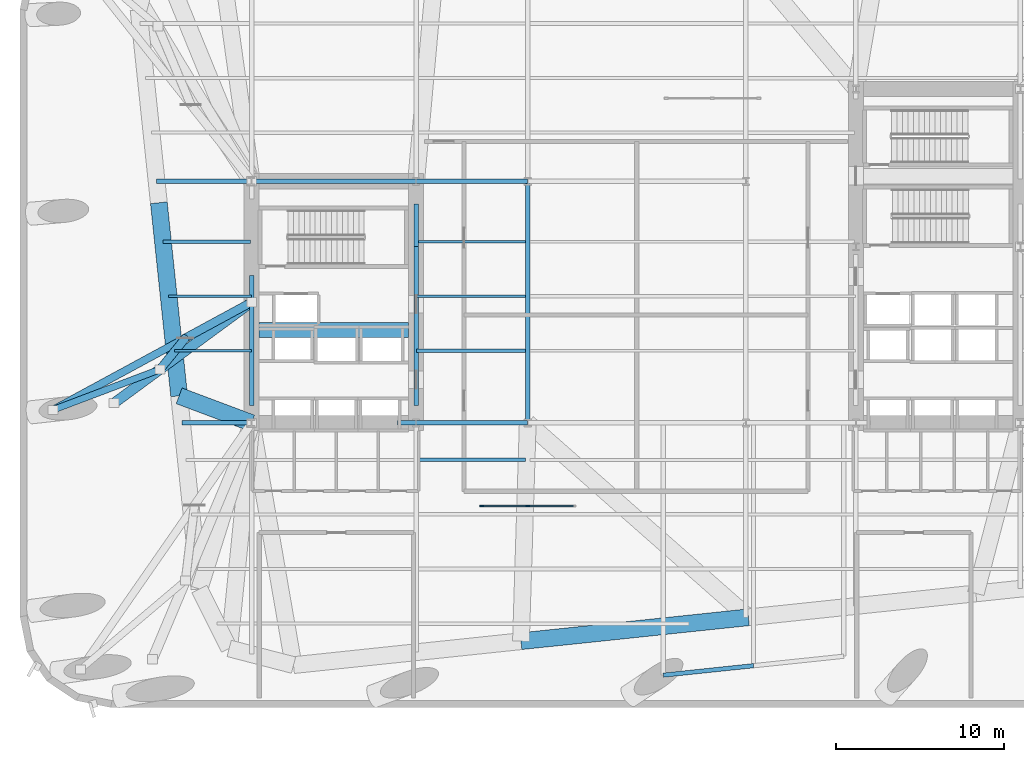
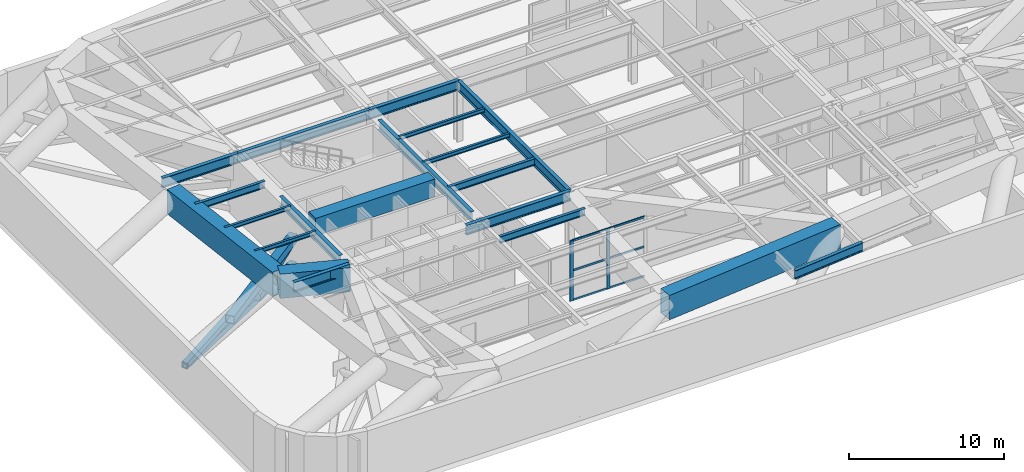
# One storey, part 2 of 16: 21 beams, 13 members, 1 element without a shape of its own.
"""IFC4 building model written with IfcOpenShell, lengths in metres."""

from ifc_helpers import new_model, si_unit, direction, frame, origin, origin_2d, place, context, subcontext, project, spatial, rectangle, hollow_rectangle, hollow_circle, i_section, extrude, material, material_profile, profile_set, type_object, element, aggregate, save


model = new_model("IFC4")

# Units and contexts
model_context = context("Model", 3, precision=1e-05, world=origin(), true_north=direction((0.0, 1.0)))
body_context = subcontext(model_context, "Body", "Model", "MODEL_VIEW")
ifc_project = project(units=[si_unit("LENGTHUNIT", "METRE"), si_unit("AREAUNIT", "SQUARE_METRE"), si_unit("VOLUMEUNIT", "CUBIC_METRE"), si_unit("PLANEANGLEUNIT", "RADIAN"), si_unit("MASSUNIT", "GRAM", prefix="KILO")], contexts=[model_context])

# Site, building, storey
site_placement = place(None, origin())
site = spatial("IfcSite", under=ifc_project, at=site_placement, CompositionType="ELEMENT")
building_placement = place(site_placement, origin())
building = spatial("IfcBuilding", under=site, at=building_placement, Name="Kolvaren Arena Tower", CompositionType="ELEMENT")
storey_placement = place(building_placement, frame((0.0, 0.0, 94.5)))
storey = spatial("IfcBuildingStorey", under=building, at=storey_placement, Name="L21", CompositionType="ELEMENT", Elevation=94.5)

# Beams
ifc_material_1 = material(Name="Steel CSA G40.21 350W", Category="steel")
ifc_material_profile_1 = material_profile(ifc_material_1, i_section(OverallWidth=0.2119140625, OverallDepth=0.54296875, WebThickness=0.01318359375, FlangeThickness=0.0244140625, FilletRadius=0.013916015625, at=origin_2d()), Name="W530x150")
ifc_profile_set_1 = profile_set([ifc_material_profile_1], Name="Steel CSA G40.21 350W")
beam_type_1 = type_object("IfcBeamType", Name="BEAM-F1", PredefinedType="BEAM", material=ifc_profile_set_1)
beam_1_placement = place(storey_placement, frame((24.485107421875, 17.25, 4.478515625), z_axis=(1.0, 0.0, 0.0), x_axis=(0.0, 1.0, 0.0)))
element("IfcBeam", 1, at=beam_1_placement, inside=storey, type_object=beam_type_1, Name="Composite Floor Beam (L21)", PredefinedType="BEAM", context=body_context, shape_type="SweptSolid", body=[
    extrude(i_section(OverallWidth=0.2119140625, OverallDepth=0.54296875, WebThickness=0.01318359375, FlangeThickness=0.0244140625, FilletRadius=0.013916015625, at=origin_2d()), origin(), (0.0, 0.0, 1.0), 6.3798828125),
])
beam_2_placement = place(storey_placement, frame((24.3701171875, 23.75, 4.478515625), z_axis=(1.0, 0.0, 0.0), x_axis=(0.0, 1.0, 0.0)))
element("IfcBeam", 2, at=beam_2_placement, inside=storey, type_object=beam_type_1, Name="Composite Floor Beam (L21)", PredefinedType="BEAM", context=body_context, shape_type="SweptSolid", body=[
    extrude(i_section(OverallWidth=0.2119140625, OverallDepth=0.54296875, WebThickness=0.01318359375, FlangeThickness=0.0244140625, FilletRadius=0.013916015625, at=origin_2d()), origin(), (0.0, 0.0, 1.0), 6.494873046875),
])
beam_3_placement = place(storey_placement, frame((9.2666015625, 30.25, 4.478515625), z_axis=(1.0, 0.0, 0.0), x_axis=(0.0, 1.0, 0.0)))
element("IfcBeam", 3, at=beam_3_placement, inside=storey, type_object=beam_type_1, Name="Composite Floor Beam (L21)", PredefinedType="BEAM", context=body_context, shape_type="SweptSolid", body=[
    extrude(i_section(OverallWidth=0.2119140625, OverallDepth=0.54296875, WebThickness=0.01318359375, FlangeThickness=0.0244140625, FilletRadius=0.013916015625, at=origin_2d()), origin(), (0.0, 0.0, 1.0), 5.21337890625),
])

# Members
ifc_material_2 = material(Name="Steel CSA G40.21 350WT", Category="steel")
ifc_material_profile_2 = material_profile(ifc_material_2, hollow_rectangle(XDim=0.449951171875, YDim=0.449951171875, WallThickness=0.02001953125, at=origin_2d()), Name="HSS 450x450x20")
ifc_profile_set_2 = profile_set([ifc_material_profile_2], Name="Steel CSA G40.21 350WT")
member_type_1 = type_object("IfcMemberType", Name="BELT-CHORD", PredefinedType="CHORD", material=ifc_profile_set_2)
member_1_placement = place(storey_placement, frame((14.550048828125, 26.64990234375, 0.35009765625), z_axis=(-0.878990249417, -0.47683974397, 0.0), x_axis=(0.47683974397, -0.878990249417, 0.0)))
element("IfcMember", 4, at=member_1_placement, inside=storey, type_object=member_type_1, Name="Belt Truss Bottom Chord 5 (L21)", PredefinedType="CHORD", context=body_context, shape_type="SweptSolid", body=[
    extrude(hollow_rectangle(XDim=0.449951171875, YDim=0.449951171875, WallThickness=0.02001953125, at=origin_2d()), origin(), (0.0, 0.0, 1.0), 13.464111328125),
])
ifc_material_profile_3 = material_profile(ifc_material_2, hollow_rectangle(XDim=0.39990234375, YDim=0.39990234375, WallThickness=0.01611328125, at=origin_2d()), Name="HSS 400x400x16")
ifc_profile_set_3 = profile_set([ifc_material_profile_3], Name="Steel CSA G40.21 350WT")
member_type_2 = type_object("IfcMemberType", Name="BELT-DIAG", PredefinedType="BRACE", material=ifc_profile_set_3)
member_2_placement = place(storey_placement, frame((9.0859375, 22.639892578125, 2.47998046875), z_axis=(-0.892677184237, -0.33772166639, -0.298448522852), x_axis=(0.353848031152, -0.935302929991, 0.0)))
element("IfcMember", 5, at=member_2_placement, inside=storey, type_object=member_type_2, Name="Belt Truss Warren Diagonal C 5 (L21)", PredefinedType="BRACE", context=body_context, shape_type="SweptSolid", body=[
    extrude(hollow_rectangle(XDim=0.39990234375, YDim=0.39990234375, WallThickness=0.01611328125, at=origin_2d()), origin(), (0.0, 0.0, 1.0), 7.136474609375),
])

# Beam
ifc_material_3 = material(Name="Concrete 75 MPa", Category="concrete")
ifc_material_profile_4 = material_profile(ifc_material_3, rectangle(XDim=0.89990234375, YDim=1.39990234375, at=origin_2d()), Name="RC-900x1400")
ifc_profile_set_4 = profile_set([ifc_material_profile_4], Name="Concrete 75 MPa")
beam_type_2 = type_object("IfcBeamType", Name="CB-CORE-1", PredefinedType="BEAM", material=ifc_profile_set_4)
beam_4_placement = place(storey_placement, frame((15.0, 25.0, 4.320068359375), z_axis=(1.0, 0.0, 0.0), x_axis=(0.0, 1.0, 0.0)))
element("IfcBeam", 6, at=beam_4_placement, inside=storey, type_object=beam_type_2, Name="West Core Coupling Beam (L21)", PredefinedType="BEAM", context=body_context, shape_type="SweptSolid", body=[
    extrude(rectangle(XDim=0.89990234375, YDim=1.39990234375, at=origin_2d()), origin(), (0.0, 0.0, 1.0), 8.89990234375),
])

# Curtain wall, members
ifc_material_4 = material(Name="Anodised aluminium unitised curtain wall", Category="aluminium")
curtain_wall_type = type_object("IfcCurtainWallType", Name="CW-SYS-05", PredefinedType="USERDEFINED", material=ifc_material_4)
curtain_wall_placement = place(storey_placement, origin())
curtain_wall = element("IfcCurtainWall", 7, at=curtain_wall_placement, inside=storey, type_object=curtain_wall_type, Name="Mechanical Plant Louvre Curtain Wall (L21)", ObjectType="ACOUSTIC LOUVRE SCREEN", PredefinedType="USERDEFINED")
ifc_material_5 = material(Name="Anodised aluminium 6063-T6", Category="aluminium")
ifc_material_profile_5 = material_profile(ifc_material_5, rectangle(XDim=0.10009765625, YDim=0.239990234375, at=origin_2d()), Name="ALU-100x240")
ifc_profile_set_5 = profile_set([ifc_material_profile_5], Name="Anodised aluminium 6063-T6")
member_type_3 = type_object("IfcMemberType", Name="CWM-HVY", PredefinedType="MULLION", material=ifc_profile_set_5)
member_3_placement = place(storey_placement, frame((28.25, 14.5, 0.0), z_axis=(0.0, 0.0, 1.0), x_axis=(0.0, 1.0, 0.0)))
member_3 = element("IfcMember", 8, at=member_3_placement, type_object=member_type_3, Name="CW5 mullion 1", PredefinedType="MULLION", context=body_context, shape_type="SweptSolid", body=[
    extrude(rectangle(XDim=0.10009765625, YDim=0.239990234375, at=origin_2d()), origin(), (0.0, 0.0, 1.0), 4.75),
])
member_4_placement = place(storey_placement, frame((31.0, 14.5, 0.0), z_axis=(0.0, 0.0, 1.0), x_axis=(0.0, 1.0, 0.0)))
member_4 = element("IfcMember", 9, at=member_4_placement, type_object=member_type_3, Name="CW5 mullion 2", PredefinedType="MULLION", context=body_context, shape_type="SweptSolid", body=[
    extrude(rectangle(XDim=0.10009765625, YDim=0.239990234375, at=origin_2d()), origin(), (0.0, 0.0, 1.0), 4.75),
])
ifc_material_profile_6 = material_profile(ifc_material_5, rectangle(XDim=0.080078125, YDim=0.14990234375, at=origin_2d()), Name="ALU-80x150")
ifc_profile_set_6 = profile_set([ifc_material_profile_6], Name="Anodised aluminium 6063-T6")
member_type_4 = type_object("IfcMemberType", Name="CWT-STD", PredefinedType="USERDEFINED", material=ifc_profile_set_6)
member_5_placement = place(storey_placement, frame((28.300048828125, 14.5, 0.0400390625), z_axis=(1.0, 0.0, 0.0), x_axis=(0.0, 1.0, 0.0)))
member_5 = element("IfcMember", 10, at=member_5_placement, type_object=member_type_4, Name="CW5 transom 1.1", ObjectType="TRANSOM", PredefinedType="USERDEFINED", context=body_context, shape_type="SweptSolid", body=[
    extrude(rectangle(XDim=0.080078125, YDim=0.14990234375, at=origin_2d()), origin(), (0.0, 0.0, 1.0), 2.64990234375),
])
member_6_placement = place(storey_placement, frame((28.300048828125, 14.5, 2.375), z_axis=(1.0, 0.0, 0.0), x_axis=(0.0, 1.0, 0.0)))
member_6 = element("IfcMember", 11, at=member_6_placement, type_object=member_type_4, Name="CW5 transom 1.2", ObjectType="TRANSOM", PredefinedType="USERDEFINED", context=body_context, shape_type="SweptSolid", body=[
    extrude(rectangle(XDim=0.080078125, YDim=0.14990234375, at=origin_2d()), origin(), (0.0, 0.0, 1.0), 2.64990234375),
])
member_7_placement = place(storey_placement, frame((28.300048828125, 14.5, 4.7099609375), z_axis=(1.0, 0.0, 0.0), x_axis=(0.0, 1.0, 0.0)))
member_7 = element("IfcMember", 12, at=member_7_placement, type_object=member_type_4, Name="CW5 transom 1.3", ObjectType="TRANSOM", PredefinedType="USERDEFINED", context=body_context, shape_type="SweptSolid", body=[
    extrude(rectangle(XDim=0.080078125, YDim=0.14990234375, at=origin_2d()), origin(), (0.0, 0.0, 1.0), 2.64990234375),
])
member_8_placement = place(storey_placement, frame((31.050048828125, 14.5, 0.0400390625), z_axis=(1.0, 0.0, 0.0), x_axis=(0.0, 1.0, 0.0)))
member_8 = element("IfcMember", 13, at=member_8_placement, type_object=member_type_4, Name="CW5 transom 2.1", ObjectType="TRANSOM", PredefinedType="USERDEFINED", context=body_context, shape_type="SweptSolid", body=[
    extrude(rectangle(XDim=0.080078125, YDim=0.14990234375, at=origin_2d()), origin(), (0.0, 0.0, 1.0), 2.64990234375),
])
member_9_placement = place(storey_placement, frame((31.050048828125, 14.5, 2.375), z_axis=(1.0, 0.0, 0.0), x_axis=(0.0, 1.0, 0.0)))
member_9 = element("IfcMember", 14, at=member_9_placement, type_object=member_type_4, Name="CW5 transom 2.2", ObjectType="TRANSOM", PredefinedType="USERDEFINED", context=body_context, shape_type="SweptSolid", body=[
    extrude(rectangle(XDim=0.080078125, YDim=0.14990234375, at=origin_2d()), origin(), (0.0, 0.0, 1.0), 2.64990234375),
])
member_10_placement = place(storey_placement, frame((31.050048828125, 14.5, 4.7099609375), z_axis=(1.0, 0.0, 0.0), x_axis=(0.0, 1.0, 0.0)))
member_10 = element("IfcMember", 15, at=member_10_placement, type_object=member_type_4, Name="CW5 transom 2.3", ObjectType="TRANSOM", PredefinedType="USERDEFINED", context=body_context, shape_type="SweptSolid", body=[
    extrude(rectangle(XDim=0.080078125, YDim=0.14990234375, at=origin_2d()), origin(), (0.0, 0.0, 1.0), 2.64990234375),
])
aggregate(curtain_wall, [member_3, member_4, member_5, member_6, member_7, member_8, member_9, member_10])

# Member
ifc_material_profile_7 = material_profile(ifc_material_2, hollow_circle(Radius=0.25390625, WallThickness=0.02490234375, at=origin_2d()), Name="CHS 508x25")
ifc_profile_set_7 = profile_set([ifc_material_profile_7], Name="Steel CSA G40.21 350WT")
member_type_5 = type_object("IfcMemberType", Name="EXO-BRACE1", PredefinedType="BRACE", material=ifc_profile_set_7)
member_11_placement = place(storey_placement, frame((10.60498046875, 24.510009765625, 0.35009765625), z_axis=(-0.472371782565, -0.581544174614, 0.662322634378), x_axis=(0.776200780382, -0.630485803595, 0.0)))
element("IfcMember", 16, at=member_11_placement, inside=storey, type_object=member_type_5, Name="Outrigger Warren Diagonal B 5 (L21)", PredefinedType="BRACE", context=body_context, shape_type="SweptSolid", body=[
    extrude(hollow_circle(Radius=0.25390625, WallThickness=0.02490234375, at=origin_2d()), origin(), (0.0, 0.0, 1.0), 3.2158203125),
])

# Beams
ifc_material_profile_8 = material_profile(ifc_material_1, i_section(OverallWidth=0.27001953125, OverallDepth=0.77294921875, WebThickness=0.019287109375, FlangeThickness=0.033447265625, FilletRadius=0.01806640625, at=origin_2d()), Name="W760x257")
ifc_profile_set_8 = profile_set([ifc_material_profile_8], Name="Steel CSA G40.21 350W")
beam_type_3 = type_object("IfcBeamType", Name="GIRD-T1", PredefinedType="BEAM", material=ifc_profile_set_8)
beam_5_placement = place(storey_placement, frame((10.401611328125, 19.449951171875, 4.363525390625), z_axis=(1.0, 0.0, 0.0), x_axis=(0.0, 1.0, 0.0)))
element("IfcBeam", 17, at=beam_5_placement, inside=storey, type_object=beam_type_3, Name="Primary Floor Girder (L21)", PredefinedType="BEAM", context=body_context, shape_type="SweptSolid", body=[
    extrude(i_section(OverallWidth=0.27001953125, OverallDepth=0.77294921875, WebThickness=0.019287109375, FlangeThickness=0.033447265625, FilletRadius=0.01806640625, at=origin_2d()), origin(), (0.0, 0.0, 1.0), 4.1484375),
])
beam_6_placement = place(storey_placement, frame((23.2451171875, 19.449951171875, 4.363525390625), z_axis=(1.0, 0.0, 0.0), x_axis=(0.0, 1.0, 0.0)))
element("IfcBeam", 18, at=beam_6_placement, inside=storey, type_object=beam_type_3, Name="Primary Floor Girder (L21)", PredefinedType="BEAM", context=body_context, shape_type="SweptSolid", body=[
    extrude(i_section(OverallWidth=0.27001953125, OverallDepth=0.77294921875, WebThickness=0.019287109375, FlangeThickness=0.033447265625, FilletRadius=0.01806640625, at=origin_2d()), origin(), (0.0, 0.0, 1.0), 7.7548828125),
])
beam_7_placement = place(storey_placement, frame((8.88818359375, 33.85009765625, 4.363525390625), z_axis=(1.0, 0.0, 0.0), x_axis=(0.0, 1.0, 0.0)))
element("IfcBeam", 19, at=beam_7_placement, inside=storey, type_object=beam_type_3, Name="Primary Floor Girder (L21)", PredefinedType="BEAM", context=body_context, shape_type="SweptSolid", body=[
    extrude(i_section(OverallWidth=0.27001953125, OverallDepth=0.77294921875, WebThickness=0.019287109375, FlangeThickness=0.033447265625, FilletRadius=0.01806640625, at=origin_2d()), origin(), (0.0, 0.0, 1.0), 5.661865234375),
])
beam_8_placement = place(storey_placement, frame((14.550048828125, 33.85009765625, 4.363525390625), z_axis=(1.0, 0.0, 0.0), x_axis=(0.0, 1.0, 0.0)))
element("IfcBeam", 20, at=beam_8_placement, inside=storey, type_object=beam_type_3, Name="Primary Floor Girder (L21)", PredefinedType="BEAM", context=body_context, shape_type="SweptSolid", body=[
    extrude(i_section(OverallWidth=0.27001953125, OverallDepth=0.77294921875, WebThickness=0.019287109375, FlangeThickness=0.033447265625, FilletRadius=0.01806640625, at=origin_2d()), origin(), (0.0, 0.0, 1.0), 9.800048828125),
])
beam_9_placement = place(storey_placement, frame((24.35009765625, 33.85009765625, 4.363525390625), z_axis=(1.0, 0.0, 0.0), x_axis=(0.0, 1.0, 0.0)))
element("IfcBeam", 21, at=beam_9_placement, inside=storey, type_object=beam_type_3, Name="Primary Floor Girder (L21)", PredefinedType="BEAM", context=body_context, shape_type="SweptSolid", body=[
    extrude(i_section(OverallWidth=0.27001953125, OverallDepth=0.77294921875, WebThickness=0.019287109375, FlangeThickness=0.033447265625, FilletRadius=0.01806640625, at=origin_2d()), origin(), (0.0, 0.0, 1.0), 6.64990234375),
])
beam_10_placement = place(storey_placement, frame((14.550048828125, 20.5, 4.363525390625), z_axis=(0.0, 1.0, 0.0), x_axis=(-1.0, 0.0, 0.0)))
element("IfcBeam", 22, at=beam_10_placement, inside=storey, type_object=beam_type_3, Name="Primary Floor Girder (L21)", PredefinedType="BEAM", context=body_context, shape_type="SweptSolid", body=[
    extrude(i_section(OverallWidth=0.27001953125, OverallDepth=0.77294921875, WebThickness=0.019287109375, FlangeThickness=0.033447265625, FilletRadius=0.01806640625, at=origin_2d()), origin(), (0.0, 0.0, 1.0), 7.739990234375),
])
beam_11_placement = place(storey_placement, frame((24.35009765625, 20.5, 4.363525390625), z_axis=(0.0, 1.0, 0.0), x_axis=(-1.0, 0.0, 0.0)))
element("IfcBeam", 23, at=beam_11_placement, inside=storey, type_object=beam_type_3, Name="Primary Floor Girder (L21)", PredefinedType="BEAM", context=body_context, shape_type="SweptSolid", body=[
    extrude(i_section(OverallWidth=0.27001953125, OverallDepth=0.77294921875, WebThickness=0.019287109375, FlangeThickness=0.033447265625, FilletRadius=0.01806640625, at=origin_2d()), origin(), (0.0, 0.0, 1.0), 9.449951171875),
])
beam_12_placement = place(storey_placement, frame((24.35009765625, 29.949951171875, 4.363525390625), z_axis=(0.0, 1.0, 0.0), x_axis=(-1.0, 0.0, 0.0)))
element("IfcBeam", 24, at=beam_12_placement, inside=storey, type_object=beam_type_3, Name="Primary Floor Girder (L21)", PredefinedType="BEAM", context=body_context, shape_type="SweptSolid", body=[
    extrude(i_section(OverallWidth=0.27001953125, OverallDepth=0.77294921875, WebThickness=0.019287109375, FlangeThickness=0.033447265625, FilletRadius=0.01806640625, at=origin_2d()), origin(), (0.0, 0.0, 1.0), 2.550048828125),
])
beam_13_placement = place(storey_placement, frame((31.0, 19.449951171875, 4.363525390625), z_axis=(0.0, 1.0, 0.0), x_axis=(-1.0, 0.0, 0.0)))
element("IfcBeam", 25, at=beam_13_placement, inside=storey, type_object=beam_type_3, Name="Primary Floor Girder (L21)", PredefinedType="BEAM", context=body_context, shape_type="SweptSolid", body=[
    extrude(i_section(OverallWidth=0.27001953125, OverallDepth=0.77294921875, WebThickness=0.019287109375, FlangeThickness=0.033447265625, FilletRadius=0.01806640625, at=origin_2d()), origin(), (0.0, 0.0, 1.0), 14.400146484375),
])
ifc_material_profile_9 = material_profile(ifc_material_1, i_section(OverallWidth=0.2548828125, OverallDepth=0.695068359375, WebThickness=0.01708984375, FlangeThickness=0.02978515625, FilletRadius=0.01611328125, at=origin_2d()), Name="W690x217")
ifc_profile_set_9 = profile_set([ifc_material_profile_9], Name="Steel CSA G40.21 350W")
beam_type_4 = type_object("IfcBeamType", Name="GIRD-T2", PredefinedType="BEAM", material=ifc_profile_set_9)
beam_14_placement = place(storey_placement, frame((39.079345703125, 4.42431640625, 4.402587890625), z_axis=(0.994517090276, 0.10457417056, 0.0), x_axis=(-0.10457417056, 0.994517090276, 0.0)))
element("IfcBeam", 26, at=beam_14_placement, inside=storey, type_object=beam_type_4, Name="Terrace Edge Fascia Beam (L22)", PredefinedType="BEAM", context=body_context, shape_type="SweptSolid", body=[
    extrude(i_section(OverallWidth=0.2548828125, OverallDepth=0.695068359375, WebThickness=0.01708984375, FlangeThickness=0.02978515625, FilletRadius=0.01611328125, at=origin_2d()), origin(), (0.0, 0.0, 1.0), 5.39990234375),
])
ifc_material_profile_10 = material_profile(ifc_material_1, i_section(OverallWidth=0.1669921875, OverallDepth=0.31689453125, WebThickness=0.007568359375, FlangeThickness=0.01318359375, FilletRadius=0.010009765625, at=origin_2d()), Name="W310x52")
ifc_profile_set_10 = profile_set([ifc_material_profile_10], Name="Steel CSA G40.21 350W")
beam_type_5 = type_object("IfcBeamType", Name="JOIST-02", PredefinedType="JOIST", material=ifc_profile_set_10)
beam_15_placement = place(storey_placement, frame((9.94970703125, 23.75, 4.591552734375), z_axis=(1.0, 0.0, 0.0), x_axis=(0.0, 1.0, 0.0)))
element("IfcBeam", 27, at=beam_15_placement, inside=storey, type_object=beam_type_5, Name="Composite Floor Joist (L21)", PredefinedType="JOIST", context=body_context, shape_type="SweptSolid", body=[
    extrude(i_section(OverallWidth=0.1669921875, OverallDepth=0.31689453125, WebThickness=0.007568359375, FlangeThickness=0.01318359375, FilletRadius=0.010009765625, at=origin_2d()), origin(), (0.0, 0.0, 1.0), 4.580322265625),
])
beam_16_placement = place(storey_placement, frame((9.608154296875, 27.0, 4.591552734375), z_axis=(1.0, 0.0, 0.0), x_axis=(0.0, 1.0, 0.0)))
element("IfcBeam", 28, at=beam_16_placement, inside=storey, type_object=beam_type_5, Name="Composite Floor Joist (L21)", PredefinedType="JOIST", context=body_context, shape_type="SweptSolid", body=[
    extrude(i_section(OverallWidth=0.1669921875, OverallDepth=0.31689453125, WebThickness=0.007568359375, FlangeThickness=0.01318359375, FilletRadius=0.010009765625, at=origin_2d()), origin(), (0.0, 0.0, 1.0), 4.921875),
])
for number, where, z_axis, x_axis, name in (
    (29, (24.3701171875, 27.0, 4.591552734375), (1.0, 0.0, 0.0), (0.0, 1.0, 0.0), "Composite Floor Joist (L21)"),
    (30, (24.3701171875, 30.25, 4.591552734375), (1.0, 0.0, 0.0), (0.0, 1.0, 0.0), "Composite Floor Joist (L21)"),
):
    element("IfcBeam", number, at=place(storey_placement, frame(where, z_axis=z_axis, x_axis=x_axis)), inside=storey, type_object=beam_type_5, Name=name, PredefinedType="JOIST", context=body_context, shape_type="SweptSolid", body=[
        extrude(i_section(OverallWidth=0.1669921875, OverallDepth=0.31689453125, WebThickness=0.007568359375, FlangeThickness=0.01318359375, FilletRadius=0.010009765625, at=origin_2d()), origin(), (0.0, 0.0, 1.0), 6.494873046875),
    ])

# Members
ifc_material_profile_11 = material_profile(ifc_material_2, hollow_rectangle(XDim=0.60009765625, YDim=0.60009765625, WallThickness=0.02490234375, at=origin_2d()), Name="HSS 600x600x25")
ifc_profile_set_11 = profile_set([ifc_material_profile_11], Name="Steel CSA G40.21 350WT")
member_type_6 = type_object("IfcMemberType", Name="OUT-CHORD", PredefinedType="CHORD", material=ifc_profile_set_11)
member_12_placement = place(storey_placement, frame((14.550048828125, 26.64990234375, 2.47998046875), z_axis=(-0.806195754217, -0.591648887333, 0.0), x_axis=(0.591648887333, -0.806195754217, 0.0)))
element("IfcMember", 31, at=member_12_placement, inside=storey, type_object=member_type_6, Name="Outrigger Top Chord 5 (L21)", PredefinedType="CHORD", context=body_context, shape_type="SweptSolid", body=[
    extrude(hollow_rectangle(XDim=0.60009765625, YDim=0.60009765625, WallThickness=0.02490234375, at=origin_2d()), origin(), (0.0, 0.0, 1.0), 10.166259765625),
])
ifc_material_profile_12 = material_profile(ifc_material_2, hollow_rectangle(XDim=0.5, YDim=0.5, WallThickness=0.02197265625, at=origin_2d()), Name="HSS 500x500x22")
ifc_profile_set_12 = profile_set([ifc_material_profile_12], Name="Steel CSA G40.21 350WT")
member_type_7 = type_object("IfcMemberType", Name="OUT-DIAG", PredefinedType="BRACE", material=ifc_profile_set_12)
member_13_placement = place(storey_placement, frame((14.550048828125, 26.64990234375, 2.47998046875), z_axis=(-0.794126752179, -0.430751963788, -0.428737037317), x_axis=(0.476796523947, -0.879013694291, 0.0)))
element("IfcMember", 32, at=member_13_placement, inside=storey, type_object=member_type_7, Name="Outrigger Warren Diagonal A 5 (L21)", PredefinedType="BRACE", context=body_context, shape_type="SweptSolid", body=[
    extrude(hollow_rectangle(XDim=0.5, YDim=0.5, WallThickness=0.02197265625, at=origin_2d()), origin(), (0.0, 0.0, 1.0), 4.9677734375),
])

# Beams
ifc_material_profile_13 = material_profile(ifc_material_2, hollow_rectangle(XDim=1.0, YDim=1.919921875, WallThickness=0.044921875, at=origin_2d()), Name="BOX 1000x1920x45")
ifc_profile_set_13 = profile_set([ifc_material_profile_13], Name="Steel CSA G40.21 350WT")
beam_type_6 = type_object("IfcBeamType", Name="TG-MEGA", PredefinedType="USERDEFINED", material=ifc_profile_set_13)
beam_17_placement = place(storey_placement, frame((30.59619140625, 6.44873046875, 3.7900390625), z_axis=(0.994521150946, 0.104535545729, 0.0), x_axis=(-0.104535545729, 0.994521150946, 0.0)))
element("IfcBeam", 33, at=beam_17_placement, inside=storey, type_object=beam_type_6, Name="Perimeter Transfer Ring Girder 02 (L21)", ObjectType="TRANSFER GIRDER", PredefinedType="USERDEFINED", context=body_context, shape_type="SweptSolid", body=[
    extrude(hollow_rectangle(XDim=1.0, YDim=1.919921875, WallThickness=0.044921875, at=origin_2d()), origin(), (0.0, 0.0, 1.0), 13.625244140625),
])
beam_18_placement = place(storey_placement, frame((9.022705078125, 32.5703125, 3.7900390625), z_axis=(0.104522171998, -0.994522556587, 0.0), x_axis=(0.994522556587, 0.104522171998, 0.0)))
element("IfcBeam", 34, at=beam_18_placement, inside=storey, type_object=beam_type_6, Name="Perimeter Transfer Ring Girder 19 (L21)", ObjectType="TRANSFER GIRDER", PredefinedType="USERDEFINED", context=body_context, shape_type="SweptSolid", body=[
    extrude(hollow_rectangle(XDim=1.0, YDim=1.919921875, WallThickness=0.044921875, at=origin_2d()), origin(), (0.0, 0.0, 1.0), 11.56689453125),
])
beam_19_placement = place(storey_placement, frame((10.231689453125, 21.06689453125, 3.7900390625), z_axis=(0.936503130489, -0.350659217166, 0.0), x_axis=(0.350659217166, 0.936503130489, 0.0)))
element("IfcBeam", 35, at=beam_19_placement, inside=storey, type_object=beam_type_6, Name="Cantilever Block Transfer Girder 20 (L21)", ObjectType="TRANSFER GIRDER", PredefinedType="USERDEFINED", context=body_context, shape_type="SweptSolid", body=[
    extrude(hollow_rectangle(XDim=1.0, YDim=1.919921875, WallThickness=0.044921875, at=origin_2d()), origin(), (0.0, 0.0, 1.0), 4.611083984375),
])

save(model, "model.ifc")
